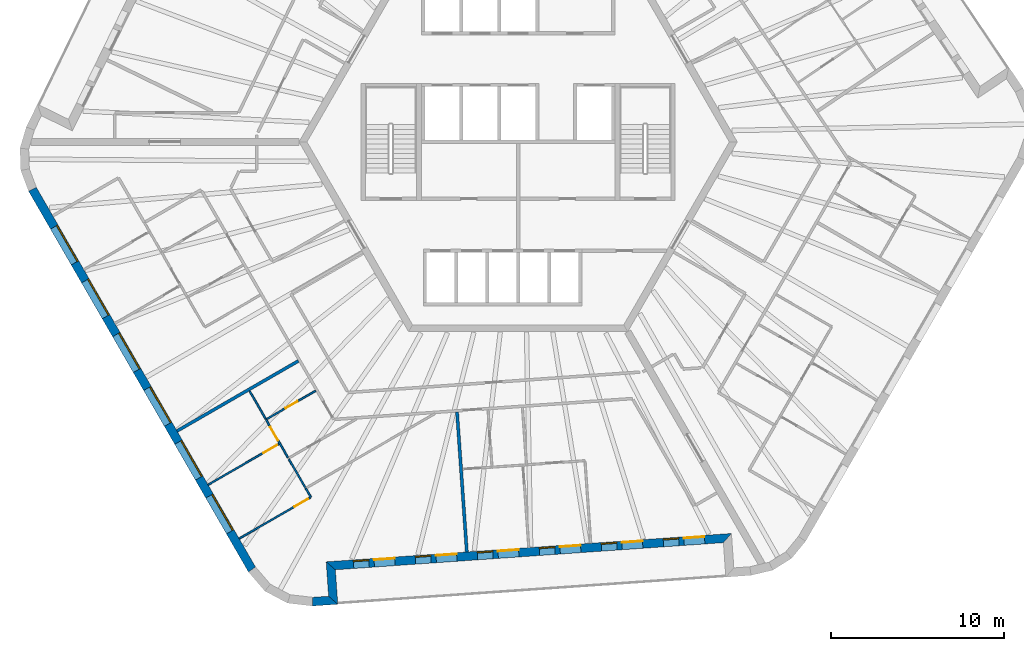
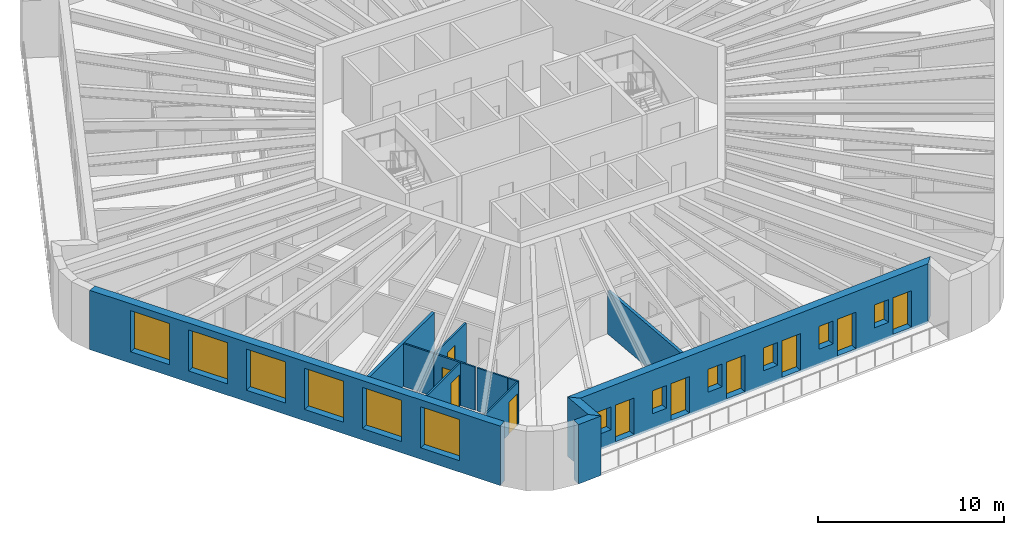
# One storey, part 3 of 12: 13 walls, 12 windows, 10 doors, 22 openings.
"""IFC4 building model written with IfcOpenShell, lengths in metres."""

from ifc_helpers import new_model, si_unit, direction, frame, frame_2d, origin, place, context, subcontext, project, spatial, polyline, rectangle, outline, extrude, material, layer, layer_set, type_object, element, fill, save


model = new_model("IFC4")

# Units and contexts
model_context = context("Model", 3, precision=1e-05, world=origin(), true_north=direction((0.0, 1.0)))
body_context = subcontext(model_context, "Body", "Model", "MODEL_VIEW")
ifc_project = project(units=[si_unit("LENGTHUNIT", "METRE"), si_unit("AREAUNIT", "SQUARE_METRE"), si_unit("VOLUMEUNIT", "CUBIC_METRE"), si_unit("PLANEANGLEUNIT", "RADIAN"), si_unit("MASSUNIT", "GRAM", prefix="KILO")], contexts=[model_context])

# Site, building, storey
site_placement = place(None, origin())
site = spatial("IfcSite", under=ifc_project, at=site_placement, CompositionType="ELEMENT")
building_placement = place(site_placement, origin())
building = spatial("IfcBuilding", under=site, at=building_placement, Name="Tarnside Tower", CompositionType="ELEMENT")
storey_placement = place(building_placement, frame((0.0, 0.0, 260.10009765625)))
storey = spatial("IfcBuildingStorey", under=building, at=storey_placement, Name="L62", CompositionType="ELEMENT", Elevation=260.10009765625)

# Wall, opening, door
ifc_material_1 = material(Name="Gypsum board partition on steel studs", Category="steel")
ifc_layer_1 = layer(ifc_material_1, 0.10009765625)
ifc_layer_set_1 = layer_set([ifc_layer_1], Name="Bathroom wall 100")
wall_type_1 = type_object("IfcWallType", Name="Bathroom wall 100", PredefinedType="PARTITIONING", material=ifc_layer_set_1)
wall_1_placement = place(storey_placement, frame((-11.73486328125, -14.4248046875, 0.0), z_axis=(0.0, 0.0, 1.0), x_axis=(-0.866033959199, -0.499985181294, 0.0)))
wall_1 = element("IfcWall", 1, at=wall_1_placement, inside=storey, type_object=wall_type_1, Name="Bathroom wall 20124", PredefinedType="PARTITIONING", context=body_context, shape_type="SweptSolid", body=[
    extrude(rectangle(XDim=3.32470703125, YDim=0.10009765625, at=frame_2d((1.662353515625, 0.0))), origin(), (0.0, 0.0, 1.0), 2.8232421875),
])
opening_1_placement = place(wall_1_placement, frame((1.22509765625, 0.0, 0.0)))
opening_1 = element("IfcOpeningElement", 2, at=opening_1_placement, cuts=wall_1, Name="Opening D-B1", PredefinedType="OPENING", context=body_context, shape_type="SweptSolid", body=[
    extrude(rectangle(XDim=0.800048828125, YDim=2.10009765625, at=frame_2d((0.39990234375, 1.050048828125))), frame((0.0, 0.06005859375, 0.0), z_axis=(0.0, -1.0, 0.0), x_axis=(1.0, 0.0, 0.0)), (0.0, 0.0, 1.0), 0.1201171875),
])
ifc_material_2 = material(Name="Timber door leaf", Category="wood")
door_type_1 = type_object("IfcDoorType", Name="Bathroom door 800", OperationType="NOTDEFINED", PredefinedType="DOOR", material=ifc_material_2)
door_1_placement = place(opening_1_placement, origin())
door_1 = element("IfcDoor", 3, at=door_1_placement, inside=storey, type_object=door_type_1, Name="Bathroom door 20033", OperationType="SINGLE_SWING_RIGHT", OverallHeight=2.10009765625, OverallWidth=0.800048828125, PredefinedType="DOOR", context=body_context, shape_type="SweptSolid", body=[
    extrude(rectangle(XDim=0.800048828125, YDim=2.10009765625, at=frame_2d((0.39990234375, 1.050048828125))), frame((0.0, 0.02490234375, 0.0), z_axis=(0.0, -1.0, 0.0), x_axis=(1.0, 0.0, 0.0)), (0.0, 0.0, 1.0), 0.050048828125),
])
fill(opening_1, door_1)

# Walls
wall_2_placement = place(storey_placement, frame((-15.5693359375, -14.43310546875, 0.0), z_axis=(0.0, 0.0, 1.0), x_axis=(0.499960808225, -0.866048029984, 0.0)))
element("IfcWall", 4, at=wall_2_placement, inside=storey, type_object=wall_type_1, Name="Bathroom wall 20128", PredefinedType="PARTITIONING", context=body_context, shape_type="SweptSolid", body=[
    extrude(rectangle(XDim=1.862060546875, YDim=0.10009765625, at=frame_2d((0.93115234375, 0.0))), origin(), (0.0, 0.0, 1.0), 2.8232421875),
])
wall_3_placement = place(storey_placement, frame((-12.33935546875, -20.027587890625, 0.0), z_axis=(0.0, 0.0, 1.0), x_axis=(-0.500022797313, 0.86601224135, 0.0)))
element("IfcWall", 5, at=wall_3_placement, inside=storey, type_object=wall_type_1, Name="Bathroom wall 20130", PredefinedType="PARTITIONING", context=body_context, shape_type="SweptSolid", body=[
    extrude(rectangle(XDim=1.89990234375, YDim=0.10009765625, at=frame_2d((0.949951171875, 0.0))), origin(), (0.0, 0.0, 1.0), 2.8232421875),
])
ifc_layer_2 = layer(ifc_material_1, 0.179931640625)
ifc_layer_set_2 = layer_set([ifc_layer_2], Name="Demising wall 180 EI 60")
wall_type_2 = type_object("IfcWallType", Name="Demising wall 180 EI 60", PredefinedType="PARTITIONING", material=ifc_layer_set_2)
for number, where, z_axis, x_axis, name in (
    (6, (-19.771240234375, -16.755126953125, 0.0), (0.0, 0.0, 1.0), (0.866022959057, 0.500004234368, 0.0), "Demising wall 20111"),
    (7, (-2.97412109375, -23.765380859375, 0.0), (0.0, 0.0, 1.0), (-0.069771417753, 0.99756300516, 0.0), "Demising wall 20122"),
):
    element("IfcWall", number, at=place(storey_placement, frame(where, z_axis=z_axis, x_axis=x_axis)), inside=storey, type_object=wall_type_2, Name=name, PredefinedType="PARTITIONING", context=body_context, shape_type="SweptSolid", body=[
        extrude(rectangle(XDim=8.125, YDim=0.179931640625, at=frame_2d((4.0625, 0.0))), origin(), (0.0, 0.0, 1.0), 2.8232421875),
    ])
ifc_material_3 = material(Name="Dark zinc cladding")
ifc_layer_3 = layer(ifc_material_3, 0.10205078125)
ifc_material_4 = material(Name="Concrete C60/75 precast", Category="concrete")
ifc_layer_4 = layer(ifc_material_4, 0.298095703125)
ifc_material_5 = material(Name="Mineral wool insulation")
ifc_layer_5 = layer(ifc_material_5, 0.10009765625)
ifc_layer_set_3 = layer_set([ifc_layer_3, ifc_layer_4, ifc_layer_5], Name="Loggia wall 500 zinc faced")
wall_type_3 = type_object("IfcWallType", Name="Loggia wall 500 zinc faced", PredefinedType="SOLIDWALL", material=ifc_layer_set_3)
wall_4_placement = place(storey_placement, frame((-11.91748046875, -26.646240234375, -0.150146484375), z_axis=(0.0, 0.0, 1.0), x_axis=(0.997562933087, 0.069772448216, 0.0)))
element("IfcWall", 8, at=wall_4_placement, inside=storey, type_object=wall_type_3, Name="Tube wall L62 F4 stub 16", PredefinedType="SOLIDWALL", context=body_context, shape_type="SweptSolid", body=[
    extrude(outline(polyline([(-0.0234375, -0.25), (1.4501953125, -0.25), (0.9501953125, 0.25), (0.0234375, 0.25), (-0.0234375, -0.25)])), origin(), (0.0, 0.0, 1.0), 3.900146484375),
])
wall_5_placement = place(storey_placement, frame((-10.72021484375, -26.5625, -0.150146484375), z_axis=(0.0, 0.0, 1.0), x_axis=(-0.069824268692, 0.99755930726, 0.0)))
element("IfcWall", 9, at=wall_5_placement, inside=storey, type_object=wall_type_3, Name="Tube wall L62 F4 return 17", PredefinedType="SOLIDWALL", context=body_context, shape_type="SweptSolid", body=[
    extrude(outline(polyline([(-0.25, -0.25), (1.75, -0.25), (2.25, 0.25), (0.25, 0.25), (-0.25, -0.25)])), origin(), (0.0, 0.0, 1.0), 3.900146484375),
])

# Wall, openings, doors, windows
wall_6_placement = place(storey_placement, frame((-10.85986328125, -24.5673828125, -0.150146484375), z_axis=(0.0, 0.0, 1.0), x_axis=(0.997564329317, 0.06975248292, 0.0)))
wall_6 = element("IfcWall", 10, at=wall_6_placement, inside=storey, type_object=wall_type_3, Name="Tube wall L62 F4 back 18", PredefinedType="SOLIDWALL", context=body_context, shape_type="SweptSolid", body=[
    extrude(outline(polyline([(0.25, -0.25), (22.794677734375, -0.25), (23.294677734375, 0.25), (-0.25, 0.25), (0.25, -0.25)])), origin(), (0.0, 0.0, 1.0), 3.900146484375),
])
opening_2_placement = place(wall_6_placement, frame((1.322509765625, 0.0, 1.050048828125)))
opening_2 = element("IfcOpeningElement", 11, at=opening_2_placement, cuts=wall_6, Name="Opening WL500", PredefinedType="OPENING", context=body_context, shape_type="SweptSolid", body=[
    extrude(rectangle(XDim=0.89990234375, YDim=1.5, at=frame_2d((0.449951171875, 0.75))), frame((0.0, 0.260009765625, 0.0), z_axis=(0.0, -1.0, 0.0), x_axis=(1.0, 0.0, 0.0)), (0.0, 0.0, 1.0), 0.52001953125),
])
opening_3_placement = place(wall_6_placement, frame((2.5224609375, 0.0, 0.14990234375)))
opening_3 = element("IfcOpeningElement", 12, at=opening_3_placement, cuts=wall_6, Name="Opening DB500", PredefinedType="OPENING", context=body_context, shape_type="SweptSolid", body=[
    extrude(rectangle(XDim=1.199951171875, YDim=2.39990234375, at=frame_2d((0.60009765625, 1.199951171875))), frame((0.0, 0.260009765625, 0.0), z_axis=(0.0, -1.0, 0.0), x_axis=(1.0, 0.0, 0.0)), (0.0, 0.0, 1.0), 0.52001953125),
])
opening_4_placement = place(wall_6_placement, frame((4.92236328125, 0.0, 1.050048828125)))
opening_4 = element("IfcOpeningElement", 13, at=opening_4_placement, cuts=wall_6, Name="Opening WL500", PredefinedType="OPENING", context=body_context, shape_type="SweptSolid", body=[
    extrude(rectangle(XDim=0.89990234375, YDim=1.5, at=frame_2d((0.449951171875, 0.75))), frame((0.0, 0.260009765625, 0.0), z_axis=(0.0, -1.0, 0.0), x_axis=(1.0, 0.0, 0.0)), (0.0, 0.0, 1.0), 0.52001953125),
])
opening_5_placement = place(wall_6_placement, frame((6.122314453125, 0.0, 0.14990234375)))
opening_5 = element("IfcOpeningElement", 14, at=opening_5_placement, cuts=wall_6, Name="Opening DB500", PredefinedType="OPENING", context=body_context, shape_type="SweptSolid", body=[
    extrude(rectangle(XDim=1.199951171875, YDim=2.39990234375, at=frame_2d((0.60009765625, 1.199951171875))), frame((0.0, 0.260009765625, 0.0), z_axis=(0.0, -1.0, 0.0), x_axis=(1.0, 0.0, 0.0)), (0.0, 0.0, 1.0), 0.52001953125),
])
opening_6_placement = place(wall_6_placement, frame((8.5224609375, 0.0, 1.050048828125)))
opening_6 = element("IfcOpeningElement", 15, at=opening_6_placement, cuts=wall_6, Name="Opening WL500", PredefinedType="OPENING", context=body_context, shape_type="SweptSolid", body=[
    extrude(rectangle(XDim=0.89990234375, YDim=1.5, at=frame_2d((0.449951171875, 0.75))), frame((0.0, 0.260009765625, 0.0), z_axis=(0.0, -1.0, 0.0), x_axis=(1.0, 0.0, 0.0)), (0.0, 0.0, 1.0), 0.52001953125),
])
opening_7_placement = place(wall_6_placement, frame((9.722412109375, 0.0, 0.14990234375)))
opening_7 = element("IfcOpeningElement", 16, at=opening_7_placement, cuts=wall_6, Name="Opening DB500", PredefinedType="OPENING", context=body_context, shape_type="SweptSolid", body=[
    extrude(rectangle(XDim=1.199951171875, YDim=2.39990234375, at=frame_2d((0.60009765625, 1.199951171875))), frame((0.0, 0.260009765625, 0.0), z_axis=(0.0, -1.0, 0.0), x_axis=(1.0, 0.0, 0.0)), (0.0, 0.0, 1.0), 0.52001953125),
])
opening_8_placement = place(wall_6_placement, frame((12.122314453125, 0.0, 1.050048828125)))
opening_8 = element("IfcOpeningElement", 17, at=opening_8_placement, cuts=wall_6, Name="Opening WL500", PredefinedType="OPENING", context=body_context, shape_type="SweptSolid", body=[
    extrude(rectangle(XDim=0.89990234375, YDim=1.5, at=frame_2d((0.449951171875, 0.75))), frame((0.0, 0.260009765625, 0.0), z_axis=(0.0, -1.0, 0.0), x_axis=(1.0, 0.0, 0.0)), (0.0, 0.0, 1.0), 0.52001953125),
])
opening_9_placement = place(wall_6_placement, frame((13.322509765625, 0.0, 0.14990234375)))
opening_9 = element("IfcOpeningElement", 18, at=opening_9_placement, cuts=wall_6, Name="Opening DB500", PredefinedType="OPENING", context=body_context, shape_type="SweptSolid", body=[
    extrude(rectangle(XDim=1.199951171875, YDim=2.39990234375, at=frame_2d((0.60009765625, 1.199951171875))), frame((0.0, 0.260009765625, 0.0), z_axis=(0.0, -1.0, 0.0), x_axis=(1.0, 0.0, 0.0)), (0.0, 0.0, 1.0), 0.52001953125),
])
opening_10_placement = place(wall_6_placement, frame((15.722412109375, 0.0, 1.050048828125)))
opening_10 = element("IfcOpeningElement", 19, at=opening_10_placement, cuts=wall_6, Name="Opening WL500", PredefinedType="OPENING", context=body_context, shape_type="SweptSolid", body=[
    extrude(rectangle(XDim=0.89990234375, YDim=1.5, at=frame_2d((0.449951171875, 0.75))), frame((0.0, 0.260009765625, 0.0), z_axis=(0.0, -1.0, 0.0), x_axis=(1.0, 0.0, 0.0)), (0.0, 0.0, 1.0), 0.52001953125),
])
opening_11_placement = place(wall_6_placement, frame((16.92236328125, 0.0, 0.14990234375)))
opening_11 = element("IfcOpeningElement", 20, at=opening_11_placement, cuts=wall_6, Name="Opening DB500", PredefinedType="OPENING", context=body_context, shape_type="SweptSolid", body=[
    extrude(rectangle(XDim=1.199951171875, YDim=2.39990234375, at=frame_2d((0.60009765625, 1.199951171875))), frame((0.0, 0.260009765625, 0.0), z_axis=(0.0, -1.0, 0.0), x_axis=(1.0, 0.0, 0.0)), (0.0, 0.0, 1.0), 0.52001953125),
])
opening_12_placement = place(wall_6_placement, frame((19.322509765625, 0.0, 1.050048828125)))
opening_12 = element("IfcOpeningElement", 21, at=opening_12_placement, cuts=wall_6, Name="Opening WL500", PredefinedType="OPENING", context=body_context, shape_type="SweptSolid", body=[
    extrude(rectangle(XDim=0.89990234375, YDim=1.5, at=frame_2d((0.449951171875, 0.75))), frame((0.0, 0.260009765625, 0.0), z_axis=(0.0, -1.0, 0.0), x_axis=(1.0, 0.0, 0.0)), (0.0, 0.0, 1.0), 0.52001953125),
])
opening_13_placement = place(wall_6_placement, frame((20.5224609375, 0.0, 0.14990234375)))
opening_13 = element("IfcOpeningElement", 22, at=opening_13_placement, cuts=wall_6, Name="Opening DB500", PredefinedType="OPENING", context=body_context, shape_type="SweptSolid", body=[
    extrude(rectangle(XDim=1.199951171875, YDim=2.39990234375, at=frame_2d((0.60009765625, 1.199951171875))), frame((0.0, 0.260009765625, 0.0), z_axis=(0.0, -1.0, 0.0), x_axis=(1.0, 0.0, 0.0)), (0.0, 0.0, 1.0), 0.52001953125),
])
ifc_material_6 = material(Name="Aluminium-framed double glazing", Category="aluminium")
door_type_2 = type_object("IfcDoorType", Name="Balcony sliding door 1200 x 2400 in 500 wall", OperationType="SLIDING_TO_LEFT", PredefinedType="DOOR", material=ifc_material_6)
door_2_placement = place(opening_3_placement, frame((0.0, 0.1748046875, 0.0)))
door_2 = element("IfcDoor", 23, at=door_2_placement, inside=storey, type_object=door_type_2, Name="E.BD.L62.F4.00", OperationType="SLIDING_TO_LEFT", OverallHeight=2.39990234375, OverallWidth=1.199951171875, PredefinedType="DOOR", context=body_context, shape_type="SweptSolid", body=[
    extrude(rectangle(XDim=1.199951171875, YDim=2.39990234375, at=frame_2d((0.60009765625, 1.199951171875))), frame((0.0, 0.02490234375, 0.0), z_axis=(0.0, -1.0, 0.0), x_axis=(1.0, 0.0, 0.0)), (0.0, 0.0, 1.0), 0.050048828125),
])
fill(opening_3, door_2)
door_3_placement = place(opening_5_placement, frame((0.0, 0.1748046875, 0.0)))
door_3 = element("IfcDoor", 24, at=door_3_placement, inside=storey, type_object=door_type_2, Name="E.BD.L62.F4.01", OperationType="SLIDING_TO_LEFT", OverallHeight=2.39990234375, OverallWidth=1.199951171875, PredefinedType="DOOR", context=body_context, shape_type="SweptSolid", body=[
    extrude(rectangle(XDim=1.199951171875, YDim=2.39990234375, at=frame_2d((0.60009765625, 1.199951171875))), frame((0.0, 0.02490234375, 0.0), z_axis=(0.0, -1.0, 0.0), x_axis=(1.0, 0.0, 0.0)), (0.0, 0.0, 1.0), 0.050048828125),
])
fill(opening_5, door_3)
door_4_placement = place(opening_7_placement, frame((0.0, 0.1748046875, 0.0)))
door_4 = element("IfcDoor", 25, at=door_4_placement, inside=storey, type_object=door_type_2, Name="E.BD.L62.F4.02", OperationType="SLIDING_TO_LEFT", OverallHeight=2.39990234375, OverallWidth=1.199951171875, PredefinedType="DOOR", context=body_context, shape_type="SweptSolid", body=[
    extrude(rectangle(XDim=1.199951171875, YDim=2.39990234375, at=frame_2d((0.60009765625, 1.199951171875))), frame((0.0, 0.02490234375, 0.0), z_axis=(0.0, -1.0, 0.0), x_axis=(1.0, 0.0, 0.0)), (0.0, 0.0, 1.0), 0.050048828125),
])
fill(opening_7, door_4)
door_5_placement = place(opening_9_placement, frame((0.0, 0.1748046875, 0.0)))
door_5 = element("IfcDoor", 26, at=door_5_placement, inside=storey, type_object=door_type_2, Name="E.BD.L62.F4.03", OperationType="SLIDING_TO_LEFT", OverallHeight=2.39990234375, OverallWidth=1.199951171875, PredefinedType="DOOR", context=body_context, shape_type="SweptSolid", body=[
    extrude(rectangle(XDim=1.199951171875, YDim=2.39990234375, at=frame_2d((0.60009765625, 1.199951171875))), frame((0.0, 0.02490234375, 0.0), z_axis=(0.0, -1.0, 0.0), x_axis=(1.0, 0.0, 0.0)), (0.0, 0.0, 1.0), 0.050048828125),
])
fill(opening_9, door_5)
door_6_placement = place(opening_11_placement, frame((0.0, 0.1748046875, 0.0)))
door_6 = element("IfcDoor", 27, at=door_6_placement, inside=storey, type_object=door_type_2, Name="E.BD.L62.F4.04", OperationType="SLIDING_TO_LEFT", OverallHeight=2.39990234375, OverallWidth=1.199951171875, PredefinedType="DOOR", context=body_context, shape_type="SweptSolid", body=[
    extrude(rectangle(XDim=1.199951171875, YDim=2.39990234375, at=frame_2d((0.60009765625, 1.199951171875))), frame((0.0, 0.02490234375, 0.0), z_axis=(0.0, -1.0, 0.0), x_axis=(1.0, 0.0, 0.0)), (0.0, 0.0, 1.0), 0.050048828125),
])
fill(opening_11, door_6)
door_7_placement = place(opening_13_placement, frame((0.0, 0.1748046875, 0.0)))
door_7 = element("IfcDoor", 28, at=door_7_placement, inside=storey, type_object=door_type_2, Name="E.BD.L62.F4.05", OperationType="SLIDING_TO_LEFT", OverallHeight=2.39990234375, OverallWidth=1.199951171875, PredefinedType="DOOR", context=body_context, shape_type="SweptSolid", body=[
    extrude(rectangle(XDim=1.199951171875, YDim=2.39990234375, at=frame_2d((0.60009765625, 1.199951171875))), frame((0.0, 0.02490234375, 0.0), z_axis=(0.0, -1.0, 0.0), x_axis=(1.0, 0.0, 0.0)), (0.0, 0.0, 1.0), 0.050048828125),
])
fill(opening_13, door_7)
window_type_1 = type_object("IfcWindowType", Name="Loggia window 900 x 1500 in 500 wall", PartitioningType="SINGLE_PANEL", PredefinedType="WINDOW", material=ifc_material_6)
window_1_placement = place(opening_2_placement, frame((0.0, 0.179931640625, 0.0)))
window_1 = element("IfcWindow", 29, at=window_1_placement, inside=storey, type_object=window_type_1, Name="E.LW.L62.F4.00", OverallHeight=1.5, OverallWidth=0.89990234375, PartitioningType="SINGLE_PANEL", PredefinedType="WINDOW", context=body_context, shape_type="SweptSolid", body=[
    extrude(rectangle(XDim=0.89990234375, YDim=1.5, at=frame_2d((0.449951171875, 0.75))), frame((0.0, 0.030029296875, 0.0), z_axis=(0.0, -1.0, 0.0), x_axis=(1.0, 0.0, 0.0)), (0.0, 0.0, 1.0), 0.06005859375),
])
fill(opening_2, window_1)
window_2_placement = place(opening_4_placement, frame((0.0, 0.179931640625, 0.0)))
window_2 = element("IfcWindow", 30, at=window_2_placement, inside=storey, type_object=window_type_1, Name="E.LW.L62.F4.01", OverallHeight=1.5, OverallWidth=0.89990234375, PartitioningType="SINGLE_PANEL", PredefinedType="WINDOW", context=body_context, shape_type="SweptSolid", body=[
    extrude(rectangle(XDim=0.89990234375, YDim=1.5, at=frame_2d((0.449951171875, 0.75))), frame((0.0, 0.030029296875, 0.0), z_axis=(0.0, -1.0, 0.0), x_axis=(1.0, 0.0, 0.0)), (0.0, 0.0, 1.0), 0.06005859375),
])
fill(opening_4, window_2)
window_3_placement = place(opening_6_placement, frame((0.0, 0.179931640625, 0.0)))
window_3 = element("IfcWindow", 31, at=window_3_placement, inside=storey, type_object=window_type_1, Name="E.LW.L62.F4.02", OverallHeight=1.5, OverallWidth=0.89990234375, PartitioningType="SINGLE_PANEL", PredefinedType="WINDOW", context=body_context, shape_type="SweptSolid", body=[
    extrude(rectangle(XDim=0.89990234375, YDim=1.5, at=frame_2d((0.449951171875, 0.75))), frame((0.0, 0.030029296875, 0.0), z_axis=(0.0, -1.0, 0.0), x_axis=(1.0, 0.0, 0.0)), (0.0, 0.0, 1.0), 0.06005859375),
])
fill(opening_6, window_3)
window_4_placement = place(opening_8_placement, frame((0.0, 0.179931640625, 0.0)))
window_4 = element("IfcWindow", 32, at=window_4_placement, inside=storey, type_object=window_type_1, Name="E.LW.L62.F4.03", OverallHeight=1.5, OverallWidth=0.89990234375, PartitioningType="SINGLE_PANEL", PredefinedType="WINDOW", context=body_context, shape_type="SweptSolid", body=[
    extrude(rectangle(XDim=0.89990234375, YDim=1.5, at=frame_2d((0.449951171875, 0.75))), frame((0.0, 0.030029296875, 0.0), z_axis=(0.0, -1.0, 0.0), x_axis=(1.0, 0.0, 0.0)), (0.0, 0.0, 1.0), 0.06005859375),
])
fill(opening_8, window_4)
window_5_placement = place(opening_10_placement, frame((0.0, 0.179931640625, 0.0)))
window_5 = element("IfcWindow", 33, at=window_5_placement, inside=storey, type_object=window_type_1, Name="E.LW.L62.F4.04", OverallHeight=1.5, OverallWidth=0.89990234375, PartitioningType="SINGLE_PANEL", PredefinedType="WINDOW", context=body_context, shape_type="SweptSolid", body=[
    extrude(rectangle(XDim=0.89990234375, YDim=1.5, at=frame_2d((0.449951171875, 0.75))), frame((0.0, 0.030029296875, 0.0), z_axis=(0.0, -1.0, 0.0), x_axis=(1.0, 0.0, 0.0)), (0.0, 0.0, 1.0), 0.06005859375),
])
fill(opening_10, window_5)
window_6_placement = place(opening_12_placement, frame((0.0, 0.179931640625, 0.0)))
window_6 = element("IfcWindow", 34, at=window_6_placement, inside=storey, type_object=window_type_1, Name="E.LW.L62.F4.05", OverallHeight=1.5, OverallWidth=0.89990234375, PartitioningType="SINGLE_PANEL", PredefinedType="WINDOW", context=body_context, shape_type="SweptSolid", body=[
    extrude(rectangle(XDim=0.89990234375, YDim=1.5, at=frame_2d((0.449951171875, 0.75))), frame((0.0, 0.030029296875, 0.0), z_axis=(0.0, -1.0, 0.0), x_axis=(1.0, 0.0, 0.0)), (0.0, 0.0, 1.0), 0.06005859375),
])
fill(opening_12, window_6)

# Wall
ifc_layer_6 = layer(ifc_material_1, 0.10009765625)
ifc_layer_set_4 = layer_set([ifc_layer_6], Name="Partition 100")
wall_type_4 = type_object("IfcWallType", Name="Partition 100", PredefinedType="PARTITIONING", material=ifc_layer_set_4)
wall_7_placement = place(storey_placement, frame((-12.3154296875, -20.0693359375, 0.0), z_axis=(0.0, 0.0, 1.0), x_axis=(0.500108649621, -0.865962665808, 0.0)))
element("IfcWall", 35, at=wall_7_placement, inside=storey, type_object=wall_type_4, Name="Partition wall 20119", PredefinedType="PARTITIONING", context=body_context, shape_type="SweptSolid", body=[
    extrude(rectangle(XDim=0.601806640625, YDim=0.10009765625, at=frame_2d((0.30078125, 0.0))), origin(), (0.0, 0.0, 1.0), 2.8232421875),
])

# Wall, opening, door
wall_8_placement = place(storey_placement, frame((-12.0576171875, -20.615478515625, 0.0), z_axis=(0.0, 0.0, 1.0), x_axis=(-0.866020389056, -0.500008685663, 0.0)))
wall_8 = element("IfcWall", 36, at=wall_8_placement, inside=storey, type_object=wall_type_4, Name="Partition wall 20120", PredefinedType="PARTITIONING", context=body_context, shape_type="SweptSolid", body=[
    extrude(rectangle(XDim=4.75, YDim=0.10009765625, at=frame_2d((2.375, 0.0))), origin(), (0.0, 0.0, 1.0), 2.8232421875),
])
opening_14_placement = place(wall_8_placement, frame((0.14990234375, 0.0, 0.0)))
opening_14 = element("IfcOpeningElement", 37, at=opening_14_placement, cuts=wall_8, Name="Opening D-I1", PredefinedType="OPENING", context=body_context, shape_type="SweptSolid", body=[
    extrude(rectangle(XDim=0.89990234375, YDim=2.10009765625, at=frame_2d((0.449951171875, 1.050048828125))), frame((0.0, 0.06005859375, 0.0), z_axis=(0.0, -1.0, 0.0), x_axis=(1.0, 0.0, 0.0)), (0.0, 0.0, 1.0), 0.1201171875),
])
door_type_3 = type_object("IfcDoorType", Name="Internal door 900", OperationType="NOTDEFINED", PredefinedType="DOOR", material=ifc_material_2)
door_8_placement = place(opening_14_placement, origin())
door_8 = element("IfcDoor", 38, at=door_8_placement, inside=storey, type_object=door_type_3, Name="Internal door 20040", OperationType="SINGLE_SWING_RIGHT", OverallHeight=2.10009765625, OverallWidth=0.89990234375, PredefinedType="DOOR", context=body_context, shape_type="SweptSolid", body=[
    extrude(rectangle(XDim=0.89990234375, YDim=2.10009765625, at=frame_2d((0.449951171875, 1.050048828125))), frame((0.0, 0.02490234375, 0.0), z_axis=(0.0, -1.0, 0.0), x_axis=(1.0, 0.0, 0.0)), (0.0, 0.0, 1.0), 0.050048828125),
])
fill(opening_14, door_8)

wall_9_placement = place(storey_placement, frame((-14.615234375, -16.08544921875, 0.0), z_axis=(0.0, 0.0, 1.0), x_axis=(0.499943114462, -0.866058244174, 0.0)))
wall_9 = element("IfcWall", 39, at=wall_9_placement, inside=storey, type_object=wall_type_4, Name="Partition wall 20125", PredefinedType="PARTITIONING", context=body_context, shape_type="SweptSolid", body=[
    extrude(rectangle(XDim=2.553955078125, YDim=0.10009765625, at=frame_2d((1.27685546875, 0.0))), origin(), (0.0, 0.0, 1.0), 2.8232421875),
])
opening_15_placement = place(wall_9_placement, frame((0.501953125, 0.0, 0.0)))
opening_15 = element("IfcOpeningElement", 40, at=opening_15_placement, cuts=wall_9, Name="Opening D-I1", PredefinedType="OPENING", context=body_context, shape_type="SweptSolid", body=[
    extrude(rectangle(XDim=0.89990234375, YDim=2.10009765625, at=frame_2d((0.449951171875, 1.050048828125))), frame((0.0, 0.06005859375, 0.0), z_axis=(0.0, -1.0, 0.0), x_axis=(1.0, 0.0, 0.0)), (0.0, 0.0, 1.0), 0.1201171875),
])
door_9_placement = place(opening_15_placement, origin())
door_9 = element("IfcDoor", 41, at=door_9_placement, inside=storey, type_object=door_type_3, Name="Internal door 20035", OperationType="SINGLE_SWING_LEFT", OverallHeight=2.10009765625, OverallWidth=0.89990234375, PredefinedType="DOOR", context=body_context, shape_type="SweptSolid", body=[
    extrude(rectangle(XDim=0.89990234375, YDim=2.10009765625, at=frame_2d((0.449951171875, 1.050048828125))), frame((0.0, 0.02490234375, 0.0), z_axis=(0.0, -1.0, 0.0), x_axis=(1.0, 0.0, 0.0)), (0.0, 0.0, 1.0), 0.050048828125),
])
fill(opening_15, door_9)

wall_10_placement = place(storey_placement, frame((-17.97119140625, -19.872802734375, 0.0), z_axis=(0.0, 0.0, 1.0), x_axis=(0.866020389056, 0.500008685663, 0.0)))
wall_10 = element("IfcWall", 42, at=wall_10_placement, inside=storey, type_object=wall_type_4, Name="Partition wall 20129", PredefinedType="PARTITIONING", context=body_context, shape_type="SweptSolid", body=[
    extrude(rectangle(XDim=4.75, YDim=0.10009765625, at=frame_2d((2.375, 0.0))), origin(), (0.0, 0.0, 1.0), 2.8232421875),
])
opening_16_placement = place(wall_10_placement, frame((3.699951171875, 0.0, 0.0)))
opening_16 = element("IfcOpeningElement", 43, at=opening_16_placement, cuts=wall_10, Name="Opening D-I1", PredefinedType="OPENING", context=body_context, shape_type="SweptSolid", body=[
    extrude(rectangle(XDim=0.89990234375, YDim=2.10009765625, at=frame_2d((0.449951171875, 1.050048828125))), frame((0.0, 0.06005859375, 0.0), z_axis=(0.0, -1.0, 0.0), x_axis=(1.0, 0.0, 0.0)), (0.0, 0.0, 1.0), 0.1201171875),
])
door_10_placement = place(opening_16_placement, origin())
door_10 = element("IfcDoor", 44, at=door_10_placement, inside=storey, type_object=door_type_3, Name="Internal door 20038", OperationType="SINGLE_SWING_RIGHT", OverallHeight=2.10009765625, OverallWidth=0.89990234375, PredefinedType="DOOR", context=body_context, shape_type="SweptSolid", body=[
    extrude(rectangle(XDim=0.89990234375, YDim=2.10009765625, at=frame_2d((0.449951171875, 1.050048828125))), frame((0.0, 0.02490234375, 0.0), z_axis=(0.0, -1.0, 0.0), x_axis=(1.0, 0.0, 0.0)), (0.0, 0.0, 1.0), 0.050048828125),
])
fill(opening_16, door_10)

# Wall, openings, windows
ifc_material_7 = material(Name="Facing brick", Category="masonry")
ifc_layer_7 = layer(ifc_material_7, 0.10205078125)
ifc_layer_8 = layer(ifc_material_4, 0.298095703125)
ifc_layer_9 = layer(ifc_material_5, 0.10009765625)
ifc_layer_set_5 = layer_set([ifc_layer_7, ifc_layer_8, ifc_layer_9], Name="Tube wall 500 brick faced")
wall_type_5 = type_object("IfcWallType", Name="Tube wall 500 brick faced", PredefinedType="SOLIDWALL", material=ifc_layer_set_5)
wall_11_placement = place(storey_placement, frame((-28.14892578125, -2.74462890625, -0.150146484375), z_axis=(0.0, 0.0, 1.0), x_axis=(0.500003737743, -0.866023245787, 0.0)))
wall_11 = element("IfcWall", 45, at=wall_11_placement, inside=storey, type_object=wall_type_5, Name="Tube wall L62 F3 flush 12", PredefinedType="SOLIDWALL", context=body_context, shape_type="SweptSolid", body=[
    extrude(outline(polyline([(-0.0205078125, -0.25), (25.468017578125, -0.25), (25.421142578125, 0.25), (0.0205078125, 0.25), (-0.0205078125, -0.25)])), origin(), (0.0, 0.0, 1.0), 3.900146484375),
])
opening_17_placement = place(wall_11_placement, frame((2.5224609375, 0.0, 0.75)))
opening_17 = element("IfcOpeningElement", 46, at=opening_17_placement, cuts=wall_11, Name="Opening WR", PredefinedType="OPENING", context=body_context, shape_type="SweptSolid", body=[
    extrude(rectangle(XDim=2.39990234375, YDim=2.699951171875, at=frame_2d((1.199951171875, 1.35009765625))), frame((0.0, 0.260009765625, 0.0), z_axis=(0.0, -1.0, 0.0), x_axis=(1.0, 0.0, 0.0)), (0.0, 0.0, 1.0), 0.52001953125),
])
opening_18_placement = place(wall_11_placement, frame((6.122314453125, 0.0, 0.75)))
opening_18 = element("IfcOpeningElement", 47, at=opening_18_placement, cuts=wall_11, Name="Opening WR", PredefinedType="OPENING", context=body_context, shape_type="SweptSolid", body=[
    extrude(rectangle(XDim=2.39990234375, YDim=2.699951171875, at=frame_2d((1.199951171875, 1.35009765625))), frame((0.0, 0.260009765625, 0.0), z_axis=(0.0, -1.0, 0.0), x_axis=(1.0, 0.0, 0.0)), (0.0, 0.0, 1.0), 0.52001953125),
])
opening_19_placement = place(wall_11_placement, frame((9.722412109375, 0.0, 0.75)))
opening_19 = element("IfcOpeningElement", 48, at=opening_19_placement, cuts=wall_11, Name="Opening WR", PredefinedType="OPENING", context=body_context, shape_type="SweptSolid", body=[
    extrude(rectangle(XDim=2.39990234375, YDim=2.699951171875, at=frame_2d((1.199951171875, 1.35009765625))), frame((0.0, 0.260009765625, 0.0), z_axis=(0.0, -1.0, 0.0), x_axis=(1.0, 0.0, 0.0)), (0.0, 0.0, 1.0), 0.52001953125),
])
opening_20_placement = place(wall_11_placement, frame((13.322509765625, 0.0, 0.75)))
opening_20 = element("IfcOpeningElement", 49, at=opening_20_placement, cuts=wall_11, Name="Opening WR", PredefinedType="OPENING", context=body_context, shape_type="SweptSolid", body=[
    extrude(rectangle(XDim=2.39990234375, YDim=2.699951171875, at=frame_2d((1.199951171875, 1.35009765625))), frame((0.0, 0.260009765625, 0.0), z_axis=(0.0, -1.0, 0.0), x_axis=(1.0, 0.0, 0.0)), (0.0, 0.0, 1.0), 0.52001953125),
])
opening_21_placement = place(wall_11_placement, frame((16.92236328125, 0.0, 0.75)))
opening_21 = element("IfcOpeningElement", 50, at=opening_21_placement, cuts=wall_11, Name="Opening WR", PredefinedType="OPENING", context=body_context, shape_type="SweptSolid", body=[
    extrude(rectangle(XDim=2.39990234375, YDim=2.699951171875, at=frame_2d((1.199951171875, 1.35009765625))), frame((0.0, 0.260009765625, 0.0), z_axis=(0.0, -1.0, 0.0), x_axis=(1.0, 0.0, 0.0)), (0.0, 0.0, 1.0), 0.52001953125),
])
opening_22_placement = place(wall_11_placement, frame((20.5224609375, 0.0, 0.75)))
opening_22 = element("IfcOpeningElement", 51, at=opening_22_placement, cuts=wall_11, Name="Opening WR", PredefinedType="OPENING", context=body_context, shape_type="SweptSolid", body=[
    extrude(rectangle(XDim=2.39990234375, YDim=2.699951171875, at=frame_2d((1.199951171875, 1.35009765625))), frame((0.0, 0.260009765625, 0.0), z_axis=(0.0, -1.0, 0.0), x_axis=(1.0, 0.0, 0.0)), (0.0, 0.0, 1.0), 0.52001953125),
])
window_type_2 = type_object("IfcWindowType", Name="Residence window 2400 x 2700", PartitioningType="DOUBLE_PANEL_VERTICAL", PredefinedType="WINDOW", material=ifc_material_6)
window_7_placement = place(opening_17_placement, frame((0.0, 0.179931640625, 0.0)))
window_7 = element("IfcWindow", 52, at=window_7_placement, inside=storey, type_object=window_type_2, Name="E.WN.L62.F3.00", OverallHeight=2.699951171875, OverallWidth=2.39990234375, PartitioningType="DOUBLE_PANEL_VERTICAL", PredefinedType="WINDOW", context=body_context, shape_type="SweptSolid", body=[
    extrude(rectangle(XDim=2.39990234375, YDim=2.699951171875, at=frame_2d((1.199951171875, 1.35009765625))), frame((0.0, 0.030029296875, 0.0), z_axis=(0.0, -1.0, 0.0), x_axis=(1.0, 0.0, 0.0)), (0.0, 0.0, 1.0), 0.06005859375),
])
fill(opening_17, window_7)
window_8_placement = place(opening_18_placement, frame((0.0, 0.179931640625, 0.0)))
window_8 = element("IfcWindow", 53, at=window_8_placement, inside=storey, type_object=window_type_2, Name="E.WN.L62.F3.01", OverallHeight=2.699951171875, OverallWidth=2.39990234375, PartitioningType="DOUBLE_PANEL_VERTICAL", PredefinedType="WINDOW", context=body_context, shape_type="SweptSolid", body=[
    extrude(rectangle(XDim=2.39990234375, YDim=2.699951171875, at=frame_2d((1.199951171875, 1.35009765625))), frame((0.0, 0.030029296875, 0.0), z_axis=(0.0, -1.0, 0.0), x_axis=(1.0, 0.0, 0.0)), (0.0, 0.0, 1.0), 0.06005859375),
])
fill(opening_18, window_8)
window_9_placement = place(opening_19_placement, frame((0.0, 0.179931640625, 0.0)))
window_9 = element("IfcWindow", 54, at=window_9_placement, inside=storey, type_object=window_type_2, Name="E.WN.L62.F3.02", OverallHeight=2.699951171875, OverallWidth=2.39990234375, PartitioningType="DOUBLE_PANEL_VERTICAL", PredefinedType="WINDOW", context=body_context, shape_type="SweptSolid", body=[
    extrude(rectangle(XDim=2.39990234375, YDim=2.699951171875, at=frame_2d((1.199951171875, 1.35009765625))), frame((0.0, 0.030029296875, 0.0), z_axis=(0.0, -1.0, 0.0), x_axis=(1.0, 0.0, 0.0)), (0.0, 0.0, 1.0), 0.06005859375),
])
fill(opening_19, window_9)
window_10_placement = place(opening_20_placement, frame((0.0, 0.179931640625, 0.0)))
window_10 = element("IfcWindow", 55, at=window_10_placement, inside=storey, type_object=window_type_2, Name="E.WN.L62.F3.03", OverallHeight=2.699951171875, OverallWidth=2.39990234375, PartitioningType="DOUBLE_PANEL_VERTICAL", PredefinedType="WINDOW", context=body_context, shape_type="SweptSolid", body=[
    extrude(rectangle(XDim=2.39990234375, YDim=2.699951171875, at=frame_2d((1.199951171875, 1.35009765625))), frame((0.0, 0.030029296875, 0.0), z_axis=(0.0, -1.0, 0.0), x_axis=(1.0, 0.0, 0.0)), (0.0, 0.0, 1.0), 0.06005859375),
])
fill(opening_20, window_10)
window_11_placement = place(opening_21_placement, frame((0.0, 0.179931640625, 0.0)))
window_11 = element("IfcWindow", 56, at=window_11_placement, inside=storey, type_object=window_type_2, Name="E.WN.L62.F3.04", OverallHeight=2.699951171875, OverallWidth=2.39990234375, PartitioningType="DOUBLE_PANEL_VERTICAL", PredefinedType="WINDOW", context=body_context, shape_type="SweptSolid", body=[
    extrude(rectangle(XDim=2.39990234375, YDim=2.699951171875, at=frame_2d((1.199951171875, 1.35009765625))), frame((0.0, 0.030029296875, 0.0), z_axis=(0.0, -1.0, 0.0), x_axis=(1.0, 0.0, 0.0)), (0.0, 0.0, 1.0), 0.06005859375),
])
fill(opening_21, window_11)
window_12_placement = place(opening_22_placement, frame((0.0, 0.179931640625, 0.0)))
window_12 = element("IfcWindow", 57, at=window_12_placement, inside=storey, type_object=window_type_2, Name="E.WN.L62.F3.05", OverallHeight=2.699951171875, OverallWidth=2.39990234375, PartitioningType="DOUBLE_PANEL_VERTICAL", PredefinedType="WINDOW", context=body_context, shape_type="SweptSolid", body=[
    extrude(rectangle(XDim=2.39990234375, YDim=2.699951171875, at=frame_2d((1.199951171875, 1.35009765625))), frame((0.0, 0.030029296875, 0.0), z_axis=(0.0, -1.0, 0.0), x_axis=(1.0, 0.0, 0.0)), (0.0, 0.0, 1.0), 0.06005859375),
])
fill(opening_22, window_12)

save(model, "model.ifc")
